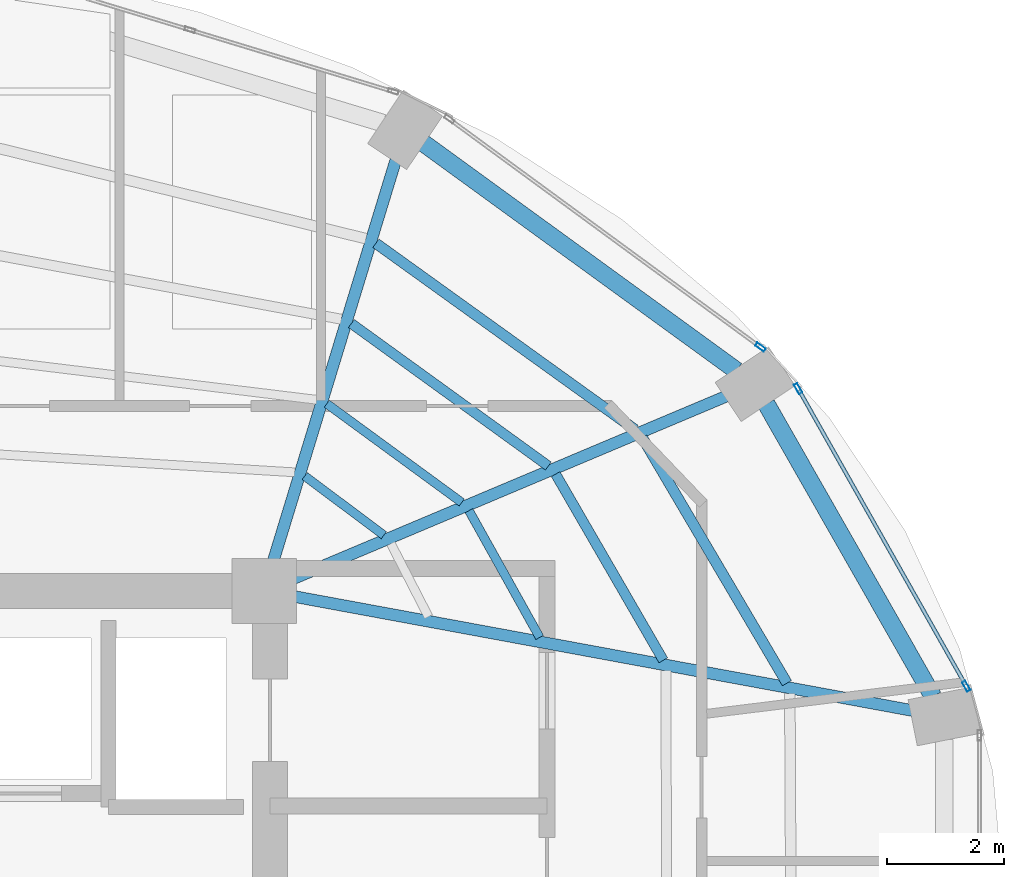
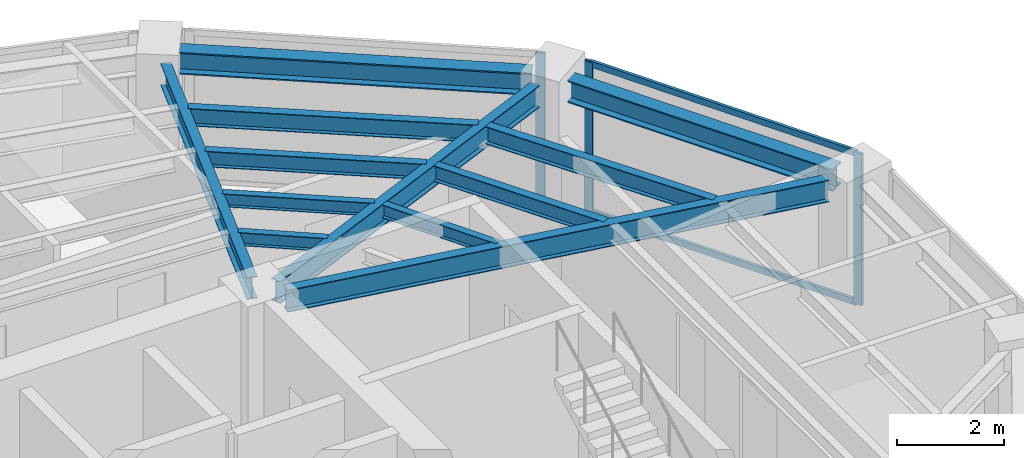
# One storey, part 13 of 21: 12 beams, 5 members, 2 elements without a shape of their own.
"""IFC4 building model written with IfcOpenShell, lengths in metres."""

from ifc_helpers import new_model, si_unit, direction, frame, origin, origin_2d, place, context, subcontext, project, spatial, hollow_rectangle, i_section, extrude, material, layer, layer_set, material_profile, profile_set, type_object, element, aggregate, save


model = new_model("IFC4")

# Units and contexts
model_context = context("Model", 3, precision=1e-05, world=origin(), true_north=direction((0.0, 1.0)))
body_context = subcontext(model_context, "Body", "Model", "MODEL_VIEW")
ifc_project = project(units=[si_unit("LENGTHUNIT", "METRE"), si_unit("AREAUNIT", "SQUARE_METRE"), si_unit("VOLUMEUNIT", "CUBIC_METRE"), si_unit("PLANEANGLEUNIT", "RADIAN"), si_unit("MASSUNIT", "GRAM", prefix="KILO")], contexts=[model_context])

# Site, building, storey
site_placement = place(None, origin())
site = spatial("IfcSite", under=ifc_project, at=site_placement, CompositionType="ELEMENT")
building_placement = place(site_placement, origin())
building = spatial("IfcBuilding", under=site, at=building_placement, Name="Lazwardi Medical Tower", CompositionType="ELEMENT")
storey_placement = place(building_placement, frame((0.0, 0.0, 220.367919921875)))
storey = spatial("IfcBuildingStorey", under=building, at=storey_placement, Name="L57", CompositionType="ELEMENT", Elevation=220.367919921875)

# Beams
ifc_material_1 = material(Name="Steel S355", Category="steel")
ifc_material_profile_1 = material_profile(ifc_material_1, i_section(OverallWidth=0.300048828125, OverallDepth=0.5, WebThickness=0.014404296875, FlangeThickness=0.028076171875, at=origin_2d()), Name="HEB 500")
ifc_profile_set_1 = profile_set([ifc_material_profile_1], Name="Steel S355")
beam_type_1 = type_object("IfcBeamType", Name="BM-RB-Z4", PredefinedType="BEAM", material=ifc_profile_set_1)
beam_1_placement = place(storey_placement, frame((56.991943359375, 33.8017578125, 3.197998046875), z_axis=(-0.495125273299, 0.868821594886, 0.0), x_axis=(-0.868821594886, -0.495125273299, 0.0)))
element("IfcBeam", 1, at=beam_1_placement, inside=storey, type_object=beam_type_1, Name="Ring beam RB-05 B05 L57", PredefinedType="BEAM", context=body_context, shape_type="SweptSolid", body=[
    extrude(i_section(OverallWidth=0.300048828125, OverallDepth=0.5, WebThickness=0.014404296875, FlangeThickness=0.028076171875, at=origin_2d()), origin(), (0.0, 0.0, 1.0), 5.734130859375),
])
beam_2_placement = place(storey_placement, frame((53.644287109375, 39.351806640625, 3.197998046875), z_axis=(-0.808889916254, 0.587960120571, 0.0), x_axis=(-0.587960120571, -0.808889916254, 0.0)))
element("IfcBeam", 2, at=beam_2_placement, inside=storey, type_object=beam_type_1, Name="Ring beam RB-05 B06 L57", PredefinedType="BEAM", context=body_context, shape_type="SweptSolid", body=[
    extrude(i_section(OverallWidth=0.300048828125, OverallDepth=0.5, WebThickness=0.014404296875, FlangeThickness=0.028076171875, at=origin_2d()), origin(), (0.0, 0.0, 1.0), 6.587158203125),
])
ifc_material_profile_2 = material_profile(ifc_material_1, i_section(OverallWidth=0.199951171875, OverallDepth=0.5, WebThickness=0.01025390625, FlangeThickness=0.01611328125, at=origin_2d()), Name="IPE 500")
ifc_profile_set_2 = profile_set([ifc_material_profile_2], Name="Steel S355")
beam_type_2 = type_object("IfcBeamType", Name="BM-RG-W3", PredefinedType="BEAM", material=ifc_profile_set_2)
beam_3_placement = place(storey_placement, frame((56.658935546875, 33.56005859375, 3.197998046875), z_axis=(-0.983409341459, 0.181400295288, 0.0), x_axis=(-0.181400295288, -0.983409341459, 0.0)))
element("IfcBeam", 3, at=beam_3_placement, inside=storey, type_object=beam_type_2, Name="Radial girder RG-04 R05 L57", PredefinedType="BEAM", context=body_context, shape_type="SweptSolid", body=[
    extrude(i_section(OverallWidth=0.199951171875, OverallDepth=0.5, WebThickness=0.01025390625, FlangeThickness=0.01611328125, at=origin_2d()), origin(), (0.0, 0.0, 1.0), 10.71044921875),
])
beam_4_placement = place(storey_placement, frame((53.466796875, 38.914794921875, 3.197998046875), z_axis=(-0.921526791352, -0.388314785735, 0.0), x_axis=(0.388314785735, -0.921526791352, 0.0)))
element("IfcBeam", 4, at=beam_4_placement, inside=storey, type_object=beam_type_2, Name="Radial girder RG-04 R06 L57", PredefinedType="BEAM", context=body_context, shape_type="SweptSolid", body=[
    extrude(i_section(OverallWidth=0.199951171875, OverallDepth=0.5, WebThickness=0.01025390625, FlangeThickness=0.01611328125, at=origin_2d()), origin(), (0.0, 0.0, 1.0), 8.001708984375),
])
beam_5_placement = place(storey_placement, frame((47.843994140625, 42.9423828125, 3.197998046875), z_axis=(-0.292276716539, -0.956333791607, 0.0), x_axis=(0.956333791607, -0.292276716539, 0.0)))
element("IfcBeam", 5, at=beam_5_placement, inside=storey, type_object=beam_type_2, Name="Radial girder RG-04 R07 L57", PredefinedType="BEAM", context=body_context, shape_type="SweptSolid", body=[
    extrude(i_section(OverallWidth=0.199951171875, OverallDepth=0.5, WebThickness=0.01025390625, FlangeThickness=0.01611328125, at=origin_2d()), origin(), (0.0, 0.0, 1.0), 7.142822265625),
])
ifc_material_profile_3 = material_profile(ifc_material_1, i_section(OverallWidth=0.179931640625, OverallDepth=0.39990234375, WebThickness=0.008544921875, FlangeThickness=0.013427734375, at=origin_2d()), Name="IPE 400")
ifc_profile_set_3 = profile_set([ifc_material_profile_3], Name="Steel S355")
beam_type_3 = type_object("IfcBeamType", Name="BM-SJ-01", PredefinedType="JOIST", material=ifc_profile_set_3)
beam_6_placement = place(storey_placement, frame((54.504150390625, 34.030517578125, 3.248046875), z_axis=(-0.507710311367, 0.861527851977, 0.0), x_axis=(-0.861527851977, -0.507710311367, 0.0)))
element("IfcBeam", 6, at=beam_6_placement, inside=storey, type_object=beam_type_3, Name="Secondary joist SJ-01 R1 B05 L57", PredefinedType="JOIST", context=body_context, shape_type="SweptSolid", body=[
    extrude(i_section(OverallWidth=0.179931640625, OverallDepth=0.39990234375, WebThickness=0.008544921875, FlangeThickness=0.013427734375, at=origin_2d()), origin(), (0.0, 0.0, 1.0), 4.852783203125),
])
beam_7_placement = place(storey_placement, frame((51.914794921875, 38.348876953125, 3.248046875), z_axis=(-0.811889581337, 0.58381102055, 0.0), x_axis=(-0.58381102055, -0.811889581337, 0.0)))
element("IfcBeam", 7, at=beam_7_placement, inside=storey, type_object=beam_type_3, Name="Secondary joist SJ-01 R1 B06 L57", PredefinedType="JOIST", context=body_context, shape_type="SweptSolid", body=[
    extrude(i_section(OverallWidth=0.179931640625, OverallDepth=0.39990234375, WebThickness=0.008544921875, FlangeThickness=0.013427734375, at=origin_2d()), origin(), (0.0, 0.0, 1.0), 5.433349609375),
])
ifc_material_profile_4 = material_profile(ifc_material_1, i_section(OverallWidth=0.169921875, OverallDepth=0.360107421875, WebThickness=0.008056640625, FlangeThickness=0.0126953125, at=origin_2d()), Name="IPE 360")
ifc_profile_set_4 = profile_set([ifc_material_profile_4], Name="Steel S355")
beam_type_4 = type_object("IfcBeamType", Name="BM-SJ-02", PredefinedType="JOIST", material=ifc_profile_set_4)
beam_8_placement = place(storey_placement, frame((52.398193359375, 34.41943359375, 3.26806640625), z_axis=(-0.500655179543, 0.865646805109, 0.0), x_axis=(-0.865646805109, -0.500655179543, 0.0)))
element("IfcBeam", 8, at=beam_8_placement, inside=storey, type_object=beam_type_4, Name="Secondary joist SJ-02 R2 B05 L57", PredefinedType="JOIST", context=body_context, shape_type="SweptSolid", body=[
    extrude(i_section(OverallWidth=0.169921875, OverallDepth=0.360107421875, WebThickness=0.008056640625, FlangeThickness=0.0126953125, at=origin_2d()), origin(), (0.0, 0.0, 1.0), 3.662109375),
])
beam_9_placement = place(storey_placement, frame((50.440185546875, 37.7275390625, 3.26806640625), z_axis=(-0.810164229155, 0.586202969796, 0.0), x_axis=(-0.586202969796, -0.810164229155, 0.0)))
element("IfcBeam", 9, at=beam_9_placement, inside=storey, type_object=beam_type_4, Name="Secondary joist SJ-02 R2 B06 L57", PredefinedType="JOIST", context=body_context, shape_type="SweptSolid", body=[
    extrude(i_section(OverallWidth=0.169921875, OverallDepth=0.360107421875, WebThickness=0.008056640625, FlangeThickness=0.0126953125, at=origin_2d()), origin(), (0.0, 0.0, 1.0), 4.14013671875),
])
ifc_material_profile_5 = material_profile(ifc_material_1, i_section(OverallWidth=0.14990234375, OverallDepth=0.300048828125, WebThickness=0.007080078125, FlangeThickness=0.0107421875, at=origin_2d()), Name="IPE 300")
ifc_profile_set_5 = profile_set([ifc_material_profile_5], Name="Steel S355")
beam_type_5 = type_object("IfcBeamType", Name="BM-SJ-03", PredefinedType="JOIST", material=ifc_profile_set_5)
beam_10_placement = place(storey_placement, frame((50.29296875, 34.80859375, 3.298095703125), z_axis=(-0.487092942089, 0.873350139272, 0.0), x_axis=(-0.873350139272, -0.487092942089, 0.0)))
element("IfcBeam", 10, at=beam_10_placement, inside=storey, type_object=beam_type_5, Name="Secondary joist SJ-03 R3 B05 L57", PredefinedType="JOIST", context=body_context, shape_type="SweptSolid", body=[
    extrude(i_section(OverallWidth=0.14990234375, OverallDepth=0.300048828125, WebThickness=0.007080078125, FlangeThickness=0.0107421875, at=origin_2d()), origin(), (0.0, 0.0, 1.0), 2.471923828125),
])
beam_11_placement = place(storey_placement, frame((48.9658203125, 37.106689453125, 3.298095703125), z_axis=(-0.80703431267, 0.59050454543, 0.0), x_axis=(-0.59050454543, -0.80703431267, 0.0)))
element("IfcBeam", 11, at=beam_11_placement, inside=storey, type_object=beam_type_5, Name="Secondary joist SJ-03 R3 B06 L57", PredefinedType="JOIST", context=body_context, shape_type="SweptSolid", body=[
    extrude(i_section(OverallWidth=0.14990234375, OverallDepth=0.300048828125, WebThickness=0.007080078125, FlangeThickness=0.0107421875, at=origin_2d()), origin(), (0.0, 0.0, 1.0), 2.846923828125),
])
beam_12_placement = place(storey_placement, frame((47.63916015625, 36.548095703125, 3.298095703125), z_axis=(-0.800365301971, 0.599512621553, 0.0), x_axis=(-0.599512621553, -0.800365301971, 0.0)))
element("IfcBeam", 12, at=beam_12_placement, inside=storey, type_object=beam_type_5, Name="Secondary joist SJ-03 R4 B06 L57", PredefinedType="JOIST", context=body_context, shape_type="SweptSolid", body=[
    extrude(i_section(OverallWidth=0.14990234375, OverallDepth=0.300048828125, WebThickness=0.007080078125, FlangeThickness=0.0107421875, at=origin_2d()), origin(), (0.0, 0.0, 1.0), 1.68359375),
])

# Curtain wall, members
ifc_material_2 = material(Name="Anodised bronze aluminium and solar control glazing", Category="aluminium")
ifc_layer = layer(ifc_material_2, 0.18994140625)
ifc_layer_set = layer_set([ifc_layer], Name="Anodised bronze aluminium and solar control glazing")
curtain_wall_type = type_object("IfcCurtainWallType", Name="CW-SYS-04", PredefinedType="NOTDEFINED", material=ifc_layer_set)
curtain_wall_1_placement = place(storey_placement, origin())
curtain_wall_1 = element("IfcCurtainWall", 13, at=curtain_wall_1_placement, inside=storey, type_object=curtain_wall_type, Name="L57 Unitised bronze curtain wall CW-04", PredefinedType="NOTDEFINED")
ifc_material_3 = material(Name="Anodised bronze aluminium", Category="aluminium")
ifc_material_profile_6 = material_profile(ifc_material_3, hollow_rectangle(XDim=0.06494140625, YDim=0.179931640625, WallThickness=0.00390625, at=origin_2d()), Name="ALU-MULLION 180x65x4")
ifc_profile_set_6 = profile_set([ifc_material_profile_6], Name="Anodised bronze aluminium")
member_type_1 = type_object("IfcMemberType", Name="CW-MUL-03", PredefinedType="MULLION", material=ifc_profile_set_6)
member_1_placement = place(storey_placement, frame((57.557373046875, 33.978271484375, 0.0), z_axis=(0.0, 0.0, 1.0), x_axis=(-0.870651436011, -0.491900474661, 0.0)))
member_1 = element("IfcMember", 14, at=member_1_placement, type_object=member_type_1, Name="CW-04 mullion 1", PredefinedType="MULLION", context=body_context, shape_type="SweptSolid", body=[
    extrude(hollow_rectangle(XDim=0.06494140625, YDim=0.179931640625, WallThickness=0.00390625, at=origin_2d()), origin(), (0.0, 0.0, 1.0), 3.447998046875),
])
member_2_placement = place(storey_placement, frame((54.6943359375, 39.04541015625, 0.0), z_axis=(0.0, 0.0, 1.0), x_axis=(-0.870651436011, -0.491900474661, 0.0)))
member_2 = element("IfcMember", 15, at=member_2_placement, type_object=member_type_1, Name="CW-04 mullion 2", PredefinedType="MULLION", context=body_context, shape_type="SweptSolid", body=[
    extrude(hollow_rectangle(XDim=0.06494140625, YDim=0.179931640625, WallThickness=0.00390625, at=origin_2d()), origin(), (0.0, 0.0, 1.0), 3.447998046875),
])

# Curtain wall, member
curtain_wall_2_placement = place(storey_placement, origin())
curtain_wall_2 = element("IfcCurtainWall", 16, at=curtain_wall_2_placement, inside=storey, type_object=curtain_wall_type, Name="L57 Unitised bronze curtain wall CW-04", PredefinedType="NOTDEFINED")
member_3_placement = place(storey_placement, frame((54.052001953125, 39.751708984375, 0.0), z_axis=(0.0, 0.0, 1.0), x_axis=(-0.591268230971, -0.806474971121, 0.0)))
member_3 = element("IfcMember", 17, at=member_3_placement, type_object=member_type_1, Name="CW-04 mullion 1", PredefinedType="MULLION", context=body_context, shape_type="SweptSolid", body=[
    extrude(hollow_rectangle(XDim=0.06494140625, YDim=0.179931640625, WallThickness=0.00390625, at=origin_2d()), origin(), (0.0, 0.0, 1.0), 3.447998046875),
])
aggregate(curtain_wall_2, [member_3])

# Member
ifc_material_profile_7 = material_profile(ifc_material_3, hollow_rectangle(XDim=0.06494140625, YDim=0.139892578125, WallThickness=0.00341796875, at=origin_2d()), Name="ALU-TRANSOM 140x65x3.5")
ifc_profile_set_7 = profile_set([ifc_material_profile_7], Name="Anodised bronze aluminium")
member_type_2 = type_object("IfcMemberType", Name="CW-TRN-03", PredefinedType="USERDEFINED", material=ifc_profile_set_7)
member_4_placement = place(storey_placement, frame((57.541259765625, 34.006591796875, 0.032470703125), z_axis=(-0.491897887635, 0.870652897623, 0.0), x_axis=(-0.870652897623, -0.491897887635, 0.0)))
member_4 = element("IfcMember", 18, at=member_4_placement, type_object=member_type_2, Name="CW-04 transom 1.1", ObjectType="TRANSOM", PredefinedType="USERDEFINED", context=body_context, shape_type="SweptSolid", body=[
    extrude(hollow_rectangle(XDim=0.06494140625, YDim=0.139892578125, WallThickness=0.00341796875, at=origin_2d()), origin(), (0.0, 0.0, 1.0), 5.7548828125),
])

member_5_placement = place(storey_placement, frame((57.541259765625, 34.006591796875, 3.41552734375), z_axis=(-0.491897887635, 0.870652897623, 0.0), x_axis=(-0.870652897623, -0.491897887635, 0.0)))
member_5 = element("IfcMember", 19, at=member_5_placement, type_object=member_type_2, Name="CW-04 transom 1.2", ObjectType="TRANSOM", PredefinedType="USERDEFINED", context=body_context, shape_type="SweptSolid", body=[
    extrude(hollow_rectangle(XDim=0.06494140625, YDim=0.139892578125, WallThickness=0.00341796875, at=origin_2d()), origin(), (0.0, 0.0, 1.0), 5.7548828125),
])

aggregate(curtain_wall_1, [member_1, member_2, member_4, member_5])

save(model, "model.ifc")
